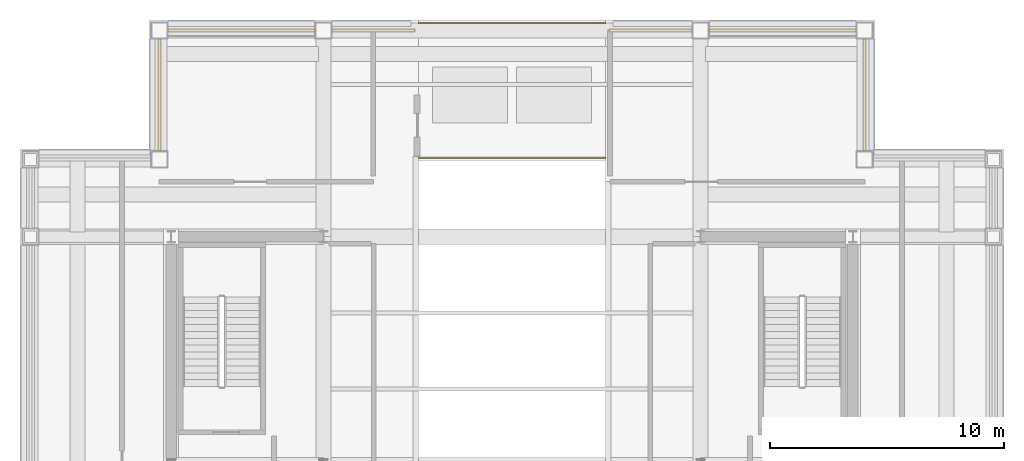
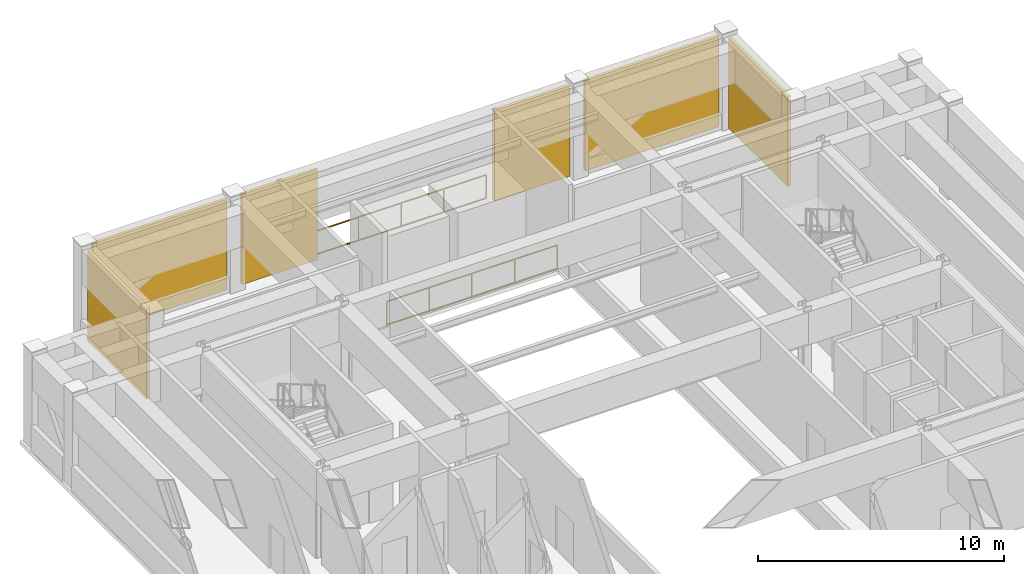
# One storey, part 7 of 8: 6 shading devices, 2 railings.
"""IFC4 building model written with IfcOpenShell, lengths in metres."""

from ifc_helpers import new_model, si_unit, direction, frame, origin, origin_2d, place, context, subcontext, project, spatial, rectangle, extrude, material, layer, layer_set, type_object, element, save


model = new_model("IFC4")

# Units and contexts
model_context = context("Model", 3, precision=1e-05, world=origin(), true_north=direction((0.0, 1.0)))
body_context = subcontext(model_context, "Body", "Model", "MODEL_VIEW")
ifc_project = project(units=[si_unit("LENGTHUNIT", "METRE"), si_unit("AREAUNIT", "SQUARE_METRE"), si_unit("VOLUMEUNIT", "CUBIC_METRE"), si_unit("PLANEANGLEUNIT", "RADIAN"), si_unit("MASSUNIT", "GRAM", prefix="KILO")], contexts=[model_context])

# Site, building, storey
site_placement = place(None, origin())
site = spatial("IfcSite", under=ifc_project, at=site_placement, CompositionType="ELEMENT")
building_placement = place(site_placement, origin())
building = spatial("IfcBuilding", under=site, at=building_placement, Name="Brelmoor Portico Tower", CompositionType="ELEMENT")
storey_placement = place(building_placement, frame((0.0, 0.0, 209.10009765625)))
storey = spatial("IfcBuildingStorey", under=building, at=storey_placement, Name="L55", CompositionType="ELEMENT", Elevation=209.10009765625)

# Railings
ifc_material_1 = material(Name="Perforated Pale Champagne Aluminium Fretwork Guard", Category="aluminium")
railing_type = type_object("IfcRailingType", Name="RL-BALUSTRADE-1200", PredefinedType="BALUSTRADE", material=ifc_material_1)
for number, where, name in (
    (1, (-4.0, 13.1201171875, 0.0), "L55 Wind-Turbine Slot Guardrail 03"),
    (2, (-4.0, 18.8798828125, 0.0), "L55 Wind-Turbine Slot Guardrail 04"),
):
    element("IfcRailing", number, at=place(storey_placement, frame(where)), inside=storey, type_object=railing_type, Name=name, PredefinedType="BALUSTRADE", context=body_context, shape_type="SweptSolid", body=[
        extrude(rectangle(XDim=0.048095703125, YDim=0.048095703125, at=origin_2d()), frame((0.0, 0.0, 1.17578125), z_axis=(1.0, 0.0, 0.0), x_axis=(0.0, 1.0, 0.0)), (0.0, 0.0, 1.0), 8.0),
        extrude(rectangle(XDim=0.048095703125, YDim=0.048095703125, at=origin_2d()), frame((0.0, 0.0, 0.02392578125), z_axis=(1.0, 0.0, 0.0), x_axis=(0.0, 1.0, 0.0)), (0.0, 0.0, 1.0), 8.0),
        extrude(rectangle(XDim=0.0419921875, YDim=0.0419921875, at=origin_2d()), origin(), (0.0, 0.0, 1.0), 1.15185546875),
        extrude(rectangle(XDim=0.0419921875, YDim=0.0419921875, at=origin_2d()), frame((2.0, 0.0, 0.0)), (0.0, 0.0, 1.0), 1.15185546875),
        extrude(rectangle(XDim=0.0419921875, YDim=0.0419921875, at=origin_2d()), frame((4.0, 0.0, 0.0)), (0.0, 0.0, 1.0), 1.15185546875),
        extrude(rectangle(XDim=0.0419921875, YDim=0.0419921875, at=origin_2d()), frame((6.0, 0.0, 0.0)), (0.0, 0.0, 1.0), 1.15185546875),
        extrude(rectangle(XDim=0.0419921875, YDim=0.0419921875, at=origin_2d()), frame((8.0, 0.0, 0.0)), (0.0, 0.0, 1.0), 1.15185546875),
    ])

# Shading devices
ifc_material_2 = material(Name="Extruded Aluminium Acoustic Weather Louvre", Category="aluminium")
ifc_layer = layer(ifc_material_2, 0.139892578125)
ifc_layer_set = layer_set([ifc_layer], Name="Extruded Aluminium Acoustic Weather Louvre")
shading_device_type = type_object("IfcShadingDeviceType", Name="SD-PLANT-LOUVRE", PredefinedType="USERDEFINED", material=ifc_layer_set)
shading_device_1_placement = place(storey_placement, frame((-11.550048828125, 18.550048828125, 0.059814453125), z_axis=(0.0, 0.0, 1.0), x_axis=(1.0, 0.0, 0.0)))
element("IfcShadingDevice", 3, at=shading_device_1_placement, inside=storey, type_object=shading_device_type, Name="L55 Acoustic Plant Louvre N1-1", ObjectType="LOUVRE", PredefinedType="USERDEFINED", context=body_context, shape_type="SweptSolid", body=[
    extrude(rectangle(XDim=6.280029296875, YDim=0.139892578125, at=origin_2d()), origin(), (0.0, 0.0, 1.0), 4.47998046875),
])
for number, where, z_axis, x_axis, name in (
    (4, (-5.919921875, 18.550048828125, 0.059814453125), (0.0, 0.0, 1.0), (1.0, 0.0, 0.0), "L55 Acoustic Plant Louvre N1-2"),
    (5, (5.919921875, 18.550048828125, 0.059814453125), (0.0, 0.0, 1.0), (1.0, 0.0, 0.0), "L55 Acoustic Plant Louvre N2-1"),
):
    element("IfcShadingDevice", number, at=place(storey_placement, frame(where, z_axis=z_axis, x_axis=x_axis)), inside=storey, type_object=shading_device_type, Name=name, ObjectType="LOUVRE", PredefinedType="USERDEFINED", context=body_context, shape_type="SweptSolid", body=[
        extrude(rectangle(XDim=3.5400390625, YDim=0.139892578125, at=origin_2d()), origin(), (0.0, 0.0, 1.0), 4.47998046875),
    ])
shading_device_2_placement = place(storey_placement, frame((11.550048828125, 18.550048828125, 0.059814453125), z_axis=(0.0, 0.0, 1.0), x_axis=(1.0, 0.0, 0.0)))
element("IfcShadingDevice", 6, at=shading_device_2_placement, inside=storey, type_object=shading_device_type, Name="L55 Acoustic Plant Louvre N2-2", ObjectType="LOUVRE", PredefinedType="USERDEFINED", context=body_context, shape_type="SweptSolid", body=[
    extrude(rectangle(XDim=6.280029296875, YDim=0.139892578125, at=origin_2d()), origin(), (0.0, 0.0, 1.0), 4.47998046875),
])
for number, where, z_axis, x_axis, name in (
    (7, (-15.050048828125, 15.800048828125, 0.059814453125), (0.0, 0.0, 1.0), (0.0, 1.0, 0.0), "L55 Acoustic Plant Louvre NW1-1"),
    (8, (15.050048828125, 15.800048828125, 0.059814453125), (0.0, 0.0, 1.0), (0.0, 1.0, 0.0), "L55 Acoustic Plant Louvre NE1-1"),
):
    element("IfcShadingDevice", number, at=place(storey_placement, frame(where, z_axis=z_axis, x_axis=x_axis)), inside=storey, type_object=shading_device_type, Name=name, ObjectType="LOUVRE", PredefinedType="USERDEFINED", context=body_context, shape_type="SweptSolid", body=[
        extrude(rectangle(XDim=4.780029296875, YDim=0.139892578125, at=origin_2d()), origin(), (0.0, 0.0, 1.0), 4.47998046875),
    ])

save(model, "model.ifc")
